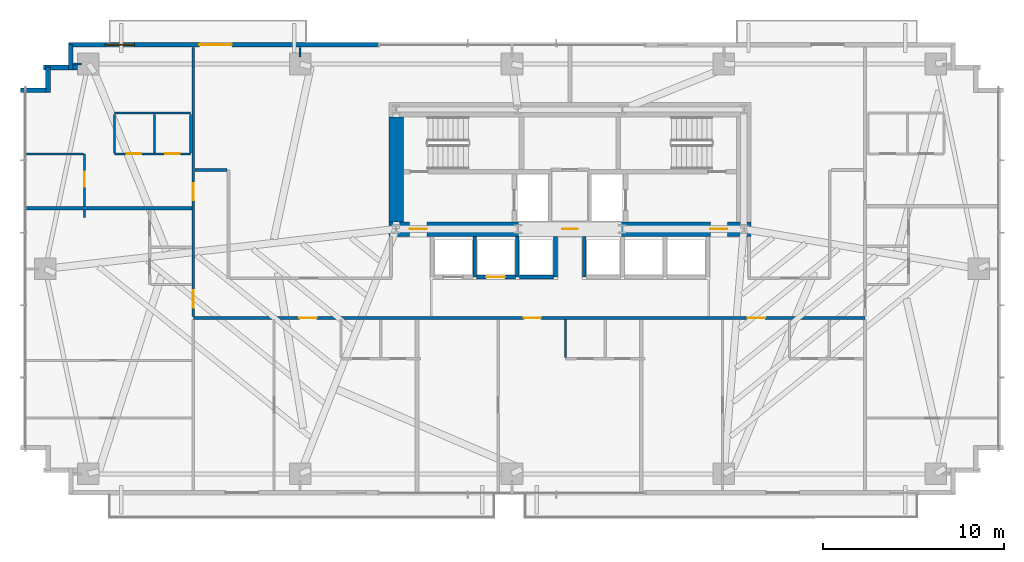
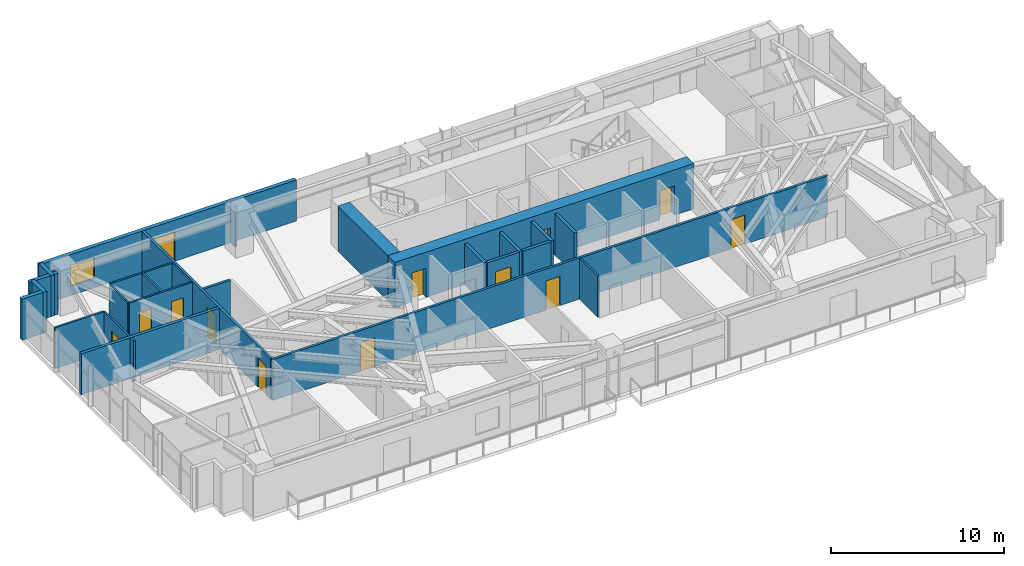
# One storey, part 20 of 25: 28 walls, 13 doors, 1 window, 14 openings.
"""IFC4 building model written with IfcOpenShell, lengths in metres."""

from ifc_helpers import new_model, si_unit, direction, frame, frame_2d, origin, place, context, subcontext, project, spatial, rectangle, extrude, source, transform, mapped, material, layer, layer_set, type_object, type_shapes, element, fill, save


model = new_model("IFC4")

# Units and contexts
model_context = context("Model", 3, precision=1e-05, world=origin(), true_north=direction((0.0, 1.0)))
body_context = subcontext(model_context, "Body", "Model", "MODEL_VIEW")
ifc_project = project(units=[si_unit("LENGTHUNIT", "METRE"), si_unit("AREAUNIT", "SQUARE_METRE"), si_unit("VOLUMEUNIT", "CUBIC_METRE"), si_unit("PLANEANGLEUNIT", "RADIAN"), si_unit("MASSUNIT", "GRAM", prefix="KILO")], contexts=[model_context])

# Site, building, storey
site_placement = place(None, origin())
site = spatial("IfcSite", under=ifc_project, at=site_placement, CompositionType="ELEMENT")
building_placement = place(site_placement, origin())
building = spatial("IfcBuilding", under=site, at=building_placement, Name="Astriad Promenade Condominiums", CompositionType="ELEMENT")
storey_placement = place(building_placement, frame((0.0, 0.0, 64.60009765625)))
storey = spatial("IfcBuildingStorey", under=building, at=storey_placement, Name="L18", CompositionType="ELEMENT", Elevation=64.60009765625)

# Wall, openings, doors
ifc_material_1 = material(Name="Concrete C80/95", Category="concrete")
ifc_layer_1 = layer(ifc_material_1, 0.800048828125)
ifc_layer_set_1 = layer_set([ifc_layer_1], Name="Concrete C80/95")
wall_type_1 = type_object("IfcWallType", Name="CW-SHEAR-800", PredefinedType="SHEAR", material=ifc_layer_set_1)
wall_1_placement = place(storey_placement, frame((26.0, 17.39990234375, 0.0), z_axis=(0.0, 0.0, 1.0), x_axis=(1.0, 0.0, 0.0)))
wall_1 = element("IfcWall", 1, at=wall_1_placement, inside=storey, type_object=wall_type_1, Name="CW-CORE-S-L18", PredefinedType="SHEAR", context=body_context, shape_type="SweptSolid", body=[
    extrude(rectangle(XDim=20.0, YDim=0.800048828125, at=frame_2d((10.0, 0.0))), origin(), (0.0, 0.0, 1.0), 3.199951171875),
])
opening_1_placement = place(wall_1_placement, frame((1.14990234375, 0.0, 0.0)))
opening_1 = element("IfcOpeningElement", 2, at=opening_1_placement, cuts=wall_1, Name="Opening FD90-ST-095", PredefinedType="OPENING", context=body_context, shape_type="SweptSolid", body=[
    extrude(rectangle(XDim=0.949951171875, YDim=2.06005859375, at=frame_2d((0.47509765625, 1.030029296875))), frame((0.0, 0.409912109375, 0.0), z_axis=(0.0, -1.0, 0.0), x_axis=(1.0, 0.0, 0.0)), (0.0, 0.0, 1.0), 0.820068359375),
])
opening_2_placement = place(wall_1_placement, frame((9.580078125, 0.0, 0.0)))
opening_2 = element("IfcOpeningElement", 3, at=opening_2_placement, cuts=wall_1, Name="Opening FD60-ULOW-085", PredefinedType="OPENING", context=body_context, shape_type="SweptSolid", body=[
    extrude(rectangle(XDim=0.85009765625, YDim=2.0, at=frame_2d((0.425048828125, 1.0))), frame((0.0, 0.409912109375, 0.0), z_axis=(0.0, -1.0, 0.0), x_axis=(1.0, 0.0, 0.0)), (0.0, 0.0, 1.0), 0.820068359375),
])
opening_3_placement = place(wall_1_placement, frame((17.75, 0.0, 0.0)))
opening_3 = element("IfcOpeningElement", 4, at=opening_3_placement, cuts=wall_1, Name="Opening FD90-ST-095", PredefinedType="OPENING", context=body_context, shape_type="SweptSolid", body=[
    extrude(rectangle(XDim=0.949951171875, YDim=2.06005859375, at=frame_2d((0.47509765625, 1.030029296875))), frame((0.0, 0.409912109375, 0.0), z_axis=(0.0, -1.0, 0.0), x_axis=(1.0, 0.0, 0.0)), (0.0, 0.0, 1.0), 0.820068359375),
])
ifc_material_2 = material(Name="Fire-Rated Hollow Metal Stair Door")
door_type_1 = type_object("IfcDoorType", Name="FD90-ST-095", OperationType="NOTDEFINED", PredefinedType="DOOR", material=ifc_material_2)
shared_shape_1 = source(origin(), body_context, "Body", "SweptSolid", [
    extrude(rectangle(XDim=0.949951171875, YDim=2.06005859375, at=frame_2d((0.47509765625, 1.030029296875))), frame((0.0, 0.02490234375, 0.0), z_axis=(0.0, -1.0, 0.0), x_axis=(1.0, 0.0, 0.0)), (0.0, 0.0, 1.0), 0.050048828125),
])
type_shapes(door_type_1, [shared_shape_1])
door_1_placement = place(opening_1_placement, origin())
door_1 = element("IfcDoor", 5, at=door_1_placement, inside=storey, type_object=door_type_1, Name="D-FFW-L18", OperationType="SINGLE_SWING_LEFT", OverallHeight=2.06005859375, OverallWidth=0.949951171875, PredefinedType="DOOR", context=body_context, shape_type="MappedRepresentation", body=[
    mapped(shared_shape_1, transform((0.0, 0.0, 0.0), scale=1.0)),
])
fill(opening_1, door_1)
door_2_placement = place(opening_3_placement, origin())
door_2 = element("IfcDoor", 6, at=door_2_placement, inside=storey, type_object=door_type_1, Name="D-FFE-L18", OperationType="SINGLE_SWING_RIGHT", OverallHeight=2.06005859375, OverallWidth=0.949951171875, PredefinedType="DOOR", context=body_context, shape_type="MappedRepresentation", body=[
    mapped(shared_shape_1, transform((0.0, 0.0, 0.0), scale=1.0)),
])
fill(opening_3, door_2)
ifc_material_3 = material(Name="Solid-Core Low-Headroom Fire Door")
door_type_2 = type_object("IfcDoorType", Name="FD60-ULOW-085", OperationType="NOTDEFINED", PredefinedType="DOOR", material=ifc_material_3)
shared_shape_2 = source(origin(), body_context, "Body", "SweptSolid", [
    extrude(rectangle(XDim=0.85009765625, YDim=2.0, at=frame_2d((0.425048828125, 1.0))), frame((0.0, 0.02490234375, 0.0), z_axis=(0.0, -1.0, 0.0), x_axis=(1.0, 0.0, 0.0)), (0.0, 0.0, 1.0), 0.050048828125),
])
type_shapes(door_type_2, [shared_shape_2])
door_3_placement = place(opening_2_placement, origin())
door_3 = element("IfcDoor", 7, at=door_3_placement, inside=storey, type_object=door_type_2, Name="D-CSL-L18", OperationType="SINGLE_SWING_RIGHT", OverallHeight=2.0, OverallWidth=0.85009765625, PredefinedType="DOOR", context=body_context, shape_type="MappedRepresentation", body=[
    mapped(shared_shape_2, transform((0.0, 0.0, 0.0), scale=1.0)),
])
fill(opening_2, door_3)

# Wall
wall_2_placement = place(storey_placement, frame((26.39990234375, 17.802001953125, 0.0), z_axis=(0.0, 0.0, 1.0), x_axis=(0.0, 1.0, 0.0)))
element("IfcWall", 8, at=wall_2_placement, inside=storey, type_object=wall_type_1, Name="CW-CORE-W-L18", PredefinedType="SHEAR", context=body_context, shape_type="SweptSolid", body=[
    extrude(rectangle(XDim=5.7958984375, YDim=0.800048828125, at=frame_2d((2.89794921875, 0.0))), origin(), (0.0, 0.0, 1.0), 3.199951171875),
])

# Wall, openings, doors
ifc_material_4 = material(Name="Fire-Rated Gypsum Partition")
ifc_layer_2 = layer(ifc_material_4, 0.159912109375)
ifc_layer_set_2 = layer_set([ifc_layer_2], Name="Fire-Rated Gypsum Partition")
wall_type_2 = type_object("IfcWallType", Name="WALL-CORR-160", PredefinedType="PARTITIONING", material=ifc_layer_set_2)
wall_3_placement = place(storey_placement, frame((15.199951171875, 12.489990234375, 0.0), z_axis=(0.0, 0.0, 1.0), x_axis=(1.0, 0.0, 0.0)))
wall_3 = element("IfcWall", 9, at=wall_3_placement, inside=storey, type_object=wall_type_2, Name="PT-COR-S-L18", PredefinedType="PARTITIONING", context=body_context, shape_type="SweptSolid", body=[
    extrude(rectangle(XDim=37.10009765625, YDim=0.159912109375, at=frame_2d((18.550048828125, 0.0))), origin(), (0.0, 0.0, 1.0), 2.89990234375),
])
opening_4_placement = place(wall_3_placement, frame((5.863037109375, 0.0, 0.0)))
opening_4 = element("IfcOpeningElement", 10, at=opening_4_placement, cuts=wall_3, Name="Opening FD60-APT-095", PredefinedType="OPENING", context=body_context, shape_type="SweptSolid", body=[
    extrude(rectangle(XDim=0.949951171875, YDim=2.06005859375, at=frame_2d((0.47509765625, 1.030029296875))), frame((0.0, 0.08984375, 0.0), z_axis=(0.0, -1.0, 0.0), x_axis=(1.0, 0.0, 0.0)), (0.0, 0.0, 1.0), 0.179931640625),
])
opening_5_placement = place(wall_3_placement, frame((18.25, 0.0, 0.0)))
opening_5 = element("IfcOpeningElement", 11, at=opening_5_placement, cuts=wall_3, Name="Opening FD60-APT-095", PredefinedType="OPENING", context=body_context, shape_type="SweptSolid", body=[
    extrude(rectangle(XDim=0.949951171875, YDim=2.06005859375, at=frame_2d((0.47509765625, 1.030029296875))), frame((0.0, 0.08984375, 0.0), z_axis=(0.0, -1.0, 0.0), x_axis=(1.0, 0.0, 0.0)), (0.0, 0.0, 1.0), 0.179931640625),
])
opening_6_placement = place(wall_3_placement, frame((30.6298828125, 0.0, 0.0)))
opening_6 = element("IfcOpeningElement", 12, at=opening_6_placement, cuts=wall_3, Name="Opening FD60-APT-095", PredefinedType="OPENING", context=body_context, shape_type="SweptSolid", body=[
    extrude(rectangle(XDim=0.949951171875, YDim=2.06005859375, at=frame_2d((0.47509765625, 1.030029296875))), frame((0.0, 0.08984375, 0.0), z_axis=(0.0, -1.0, 0.0), x_axis=(1.0, 0.0, 0.0)), (0.0, 0.0, 1.0), 0.179931640625),
])
ifc_material_5 = material(Name="Solid-Core Acoustic Timber Residence Entry Door", Category="wood")
door_type_3 = type_object("IfcDoorType", Name="FD60-APT-095", OperationType="NOTDEFINED", PredefinedType="DOOR", material=ifc_material_5)
shared_shape_3 = source(origin(), body_context, "Body", "SweptSolid", [
    extrude(rectangle(XDim=0.949951171875, YDim=2.06005859375, at=frame_2d((0.47509765625, 1.030029296875))), frame((0.0, 0.02490234375, 0.0), z_axis=(0.0, -1.0, 0.0), x_axis=(1.0, 0.0, 0.0)), (0.0, 0.0, 1.0), 0.050048828125),
])
type_shapes(door_type_3, [shared_shape_3])
door_4_placement = place(opening_4_placement, origin())
door_4 = element("IfcDoor", 13, at=door_4_placement, inside=storey, type_object=door_type_3, Name="D-ENT-L18-S1", OperationType="SINGLE_SWING_RIGHT", OverallHeight=2.06005859375, OverallWidth=0.949951171875, PredefinedType="DOOR", context=body_context, shape_type="MappedRepresentation", body=[
    mapped(shared_shape_3, transform((0.0, 0.0, 0.0), scale=1.0)),
])
fill(opening_4, door_4)
door_5_placement = place(opening_5_placement, origin())
door_5 = element("IfcDoor", 14, at=door_5_placement, inside=storey, type_object=door_type_3, Name="D-ENT-L18-S2", OperationType="SINGLE_SWING_RIGHT", OverallHeight=2.06005859375, OverallWidth=0.949951171875, PredefinedType="DOOR", context=body_context, shape_type="MappedRepresentation", body=[
    mapped(shared_shape_3, transform((0.0, 0.0, 0.0), scale=1.0)),
])
fill(opening_5, door_5)
door_6_placement = place(opening_6_placement, origin())
door_6 = element("IfcDoor", 15, at=door_6_placement, inside=storey, type_object=door_type_3, Name="D-ENT-L18-S3", OperationType="SINGLE_SWING_RIGHT", OverallHeight=2.06005859375, OverallWidth=0.949951171875, PredefinedType="DOOR", context=body_context, shape_type="MappedRepresentation", body=[
    mapped(shared_shape_3, transform((0.0, 0.0, 0.0), scale=1.0)),
])
fill(opening_6, door_6)

wall_4_placement = place(storey_placement, frame((15.199951171875, 12.572021484375, 0.0), z_axis=(0.0, 0.0, 1.0), x_axis=(0.0, 1.0, 0.0)))
wall_4 = element("IfcWall", 16, at=wall_4_placement, inside=storey, type_object=wall_type_2, Name="PT-COR-W-L18-S2", PredefinedType="PARTITIONING", context=body_context, shape_type="SweptSolid", body=[
    extrude(rectangle(XDim=14.865966796875, YDim=0.159912109375, at=frame_2d((7.43310546875, 0.0))), origin(), (0.0, 0.0, 1.0), 2.89990234375),
])
opening_7_placement = place(wall_4_placement, frame((0.492919921875, 0.0, 0.0)))
opening_7 = element("IfcOpeningElement", 17, at=opening_7_placement, cuts=wall_4, Name="Opening FD60-APT-095", PredefinedType="OPENING", context=body_context, shape_type="SweptSolid", body=[
    extrude(rectangle(XDim=0.949951171875, YDim=2.06005859375, at=frame_2d((0.47509765625, 1.030029296875))), frame((0.0, 0.08984375, 0.0), z_axis=(0.0, -1.0, 0.0), x_axis=(1.0, 0.0, 0.0)), (0.0, 0.0, 1.0), 0.179931640625),
])
opening_8_placement = place(wall_4_placement, frame((6.4130859375, 0.0, 0.0)))
opening_8 = element("IfcOpeningElement", 18, at=opening_8_placement, cuts=wall_4, Name="Opening FD60-APT-095", PredefinedType="OPENING", context=body_context, shape_type="SweptSolid", body=[
    extrude(rectangle(XDim=0.949951171875, YDim=2.06005859375, at=frame_2d((0.47509765625, 1.030029296875))), frame((0.0, 0.08984375, 0.0), z_axis=(0.0, -1.0, 0.0), x_axis=(1.0, 0.0, 0.0)), (0.0, 0.0, 1.0), 0.179931640625),
])
door_7_placement = place(opening_7_placement, origin())
door_7 = element("IfcDoor", 19, at=door_7_placement, inside=storey, type_object=door_type_3, Name="D-ENT-L18-W1", OperationType="SINGLE_SWING_LEFT", OverallHeight=2.06005859375, OverallWidth=0.949951171875, PredefinedType="DOOR", context=body_context, shape_type="MappedRepresentation", body=[
    mapped(shared_shape_3, transform((0.0, 0.0, 0.0), scale=1.0)),
])
fill(opening_7, door_7)
door_8_placement = place(opening_8_placement, origin())
door_8 = element("IfcDoor", 20, at=door_8_placement, inside=storey, type_object=door_type_3, Name="D-ENT-L18-W2", OperationType="SINGLE_SWING_RIGHT", OverallHeight=2.06005859375, OverallWidth=0.949951171875, PredefinedType="DOOR", context=body_context, shape_type="MappedRepresentation", body=[
    mapped(shared_shape_3, transform((0.0, 0.0, 0.0), scale=1.0)),
])
fill(opening_8, door_8)

# Walls
wall_5_placement = place(storey_placement, frame((15.281982421875, 20.64990234375, 0.0), z_axis=(0.0, 0.0, 1.0), x_axis=(1.0, 0.0, 0.0)))
element("IfcWall", 21, at=wall_5_placement, inside=storey, type_object=wall_type_2, Name="PT-WALC-N-L18", PredefinedType="PARTITIONING", context=body_context, shape_type="SweptSolid", body=[
    extrude(rectangle(XDim=1.7861328125, YDim=0.159912109375, at=frame_2d((0.89306640625, 0.0))), origin(), (0.0, 0.0, 1.0), 2.89990234375),
])
ifc_material_6 = material(Name="Acoustic Double-Stud Gypsum Partition")
ifc_layer_3 = layer(ifc_material_6, 0.199951171875)
ifc_layer_set_3 = layer_set([ifc_layer_3], Name="Acoustic Double-Stud Gypsum Partition")
wall_type_3 = type_object("IfcWallType", Name="WALL-DEMISING-200", PredefinedType="PARTITIONING", material=ifc_layer_set_3)
wall_6_placement = place(storey_placement, frame((5.8798828125, 18.550048828125, 0.0), z_axis=(0.0, 0.0, 1.0), x_axis=(1.0, 0.0, 0.0)))
element("IfcWall", 22, at=wall_6_placement, inside=storey, type_object=wall_type_3, Name="PT-DEM-WW-L18", PredefinedType="PARTITIONING", context=body_context, shape_type="SweptSolid", body=[
    extrude(rectangle(XDim=9.238037109375, YDim=0.199951171875, at=frame_2d((4.619140625, 0.0))), origin(), (0.0, 0.0, 1.0), 2.89990234375),
])
ifc_material_7 = material(Name="Precast concrete C50/60", Category="concrete")
ifc_layer_4 = layer(ifc_material_7, 0.260009765625)
ifc_layer_set_4 = layer_set([ifc_layer_4], Name="Precast concrete C50/60")
wall_type_4 = type_object("IfcWallType", Name="WALL-EXT-TWR-260", PredefinedType="STANDARD", material=ifc_layer_set_4)
for number, where, z_axis, x_axis, name in (
    (23, (5.669921875, 25.070068359375, 0.0), (0.0, 0.0, 1.0), (1.0, 0.0, 0.0), "W-SER-L18-04"),
    (24, (7.179931640625, 24.93994140625, 0.0), (0.0, 0.0, 1.0), (0.0, 1.0, 0.0), "W-SER-L18-05"),
):
    element("IfcWall", number, at=place(storey_placement, frame(where, z_axis=z_axis, x_axis=x_axis)), inside=storey, type_object=wall_type_4, Name=name, PredefinedType="STANDARD", context=body_context, shape_type="SweptSolid", body=[
        extrude(rectangle(XDim=1.39501953125, YDim=0.260009765625, at=frame_2d((0.697509765625, 0.0))), origin(), (0.0, 0.0, 1.0), 2.89990234375),
    ])
wall_7_placement = place(storey_placement, frame((6.919921875, 26.320068359375, 0.0), z_axis=(0.0, 0.0, 1.0), x_axis=(1.0, 0.0, 0.0)))
element("IfcWall", 25, at=wall_7_placement, inside=storey, type_object=wall_type_4, Name="W-SER-L18-06", PredefinedType="STANDARD", context=body_context, shape_type="SweptSolid", body=[
    extrude(rectangle(XDim=1.878173828125, YDim=0.260009765625, at=frame_2d((0.93896484375, 0.0))), origin(), (0.0, 0.0, 1.0), 2.89990234375),
])
wall_8_placement = place(storey_placement, frame((8.429931640625, 26.18994140625, 0.0), z_axis=(0.0, 0.0, 1.0), x_axis=(0.0, 1.0, 0.0)))
element("IfcWall", 26, at=wall_8_placement, inside=storey, type_object=wall_type_4, Name="W-SER-L18-07", PredefinedType="STANDARD", context=body_context, shape_type="SweptSolid", body=[
    extrude(rectangle(XDim=1.39501953125, YDim=0.260009765625, at=frame_2d((0.697509765625, 0.0))), origin(), (0.0, 0.0, 1.0), 2.89990234375),
])

# Wall, openings, door, window
wall_9_placement = place(storey_placement, frame((8.300048828125, 27.570068359375, 0.0), z_axis=(0.0, 0.0, 1.0), x_axis=(1.0, 0.0, 0.0)))
wall_9 = element("IfcWall", 27, at=wall_9_placement, inside=storey, type_object=wall_type_4, Name="W-EXT-L18-N1", PredefinedType="STANDARD", context=body_context, shape_type="SweptSolid", body=[
    extrude(rectangle(XDim=17.14990234375, YDim=0.260009765625, at=frame_2d((8.574951171875, 0.0))), origin(), (0.0, 0.0, 1.0), 2.89990234375),
])
opening_9_placement = place(wall_9_placement, frame((7.23291015625, 0.0, 0.0)))
opening_9 = element("IfcOpeningElement", 28, at=opening_9_placement, cuts=wall_9, Name="Opening BD-1822-SLD", PredefinedType="OPENING", context=body_context, shape_type="SweptSolid", body=[
    extrude(rectangle(XDim=1.800048828125, YDim=2.06005859375, at=frame_2d((0.89990234375, 1.030029296875))), frame((0.0, 0.139892578125, 0.0), z_axis=(0.0, -1.0, 0.0), x_axis=(1.0, 0.0, 0.0)), (0.0, 0.0, 1.0), 0.280029296875),
])
opening_10_placement = place(wall_9_placement, frame((2.050048828125, 0.0, 0.64990234375)))
opening_10 = element("IfcOpeningElement", 29, at=opening_10_placement, cuts=wall_9, Name="Opening WIN-TWR-1620", PredefinedType="OPENING", context=body_context, shape_type="SweptSolid", body=[
    extrude(rectangle(XDim=1.60009765625, YDim=1.5, at=frame_2d((0.800048828125, 0.75))), frame((0.0, 0.139892578125, 0.0), z_axis=(0.0, -1.0, 0.0), x_axis=(1.0, 0.0, 0.0)), (0.0, 0.0, 1.0), 0.280029296875),
])
ifc_material_8 = material(Name="Thermally Broken Aluminium Sliding Balcony Door", Category="aluminium")
door_type_4 = type_object("IfcDoorType", Name="BD-1822-SLD", OperationType="NOTDEFINED", PredefinedType="DOOR", material=ifc_material_8)
shared_shape_4 = source(origin(), body_context, "Body", "SweptSolid", [
    extrude(rectangle(XDim=1.800048828125, YDim=2.06005859375, at=frame_2d((0.89990234375, 1.030029296875))), frame((0.0, 0.02490234375, 0.0), z_axis=(0.0, -1.0, 0.0), x_axis=(1.0, 0.0, 0.0)), (0.0, 0.0, 1.0), 0.050048828125),
])
type_shapes(door_type_4, [shared_shape_4])
door_9_placement = place(opening_9_placement, origin())
door_9 = element("IfcDoor", 30, at=door_9_placement, inside=storey, type_object=door_type_4, Name="BD-L18-NW", OperationType="SLIDING_TO_LEFT", OverallHeight=2.06005859375, OverallWidth=1.800048828125, PredefinedType="DOOR", context=body_context, shape_type="MappedRepresentation", body=[
    mapped(shared_shape_4, transform((0.0, 0.0, 0.0), scale=1.0)),
])
fill(opening_9, door_9)
ifc_material_9 = material(Name="Dark Tinted Triple-Glazed Aluminium Window", Category="aluminium")
window_type = type_object("IfcWindowType", Name="WIN-TWR-1620", PartitioningType="SINGLE_PANEL", PredefinedType="WINDOW", material=ifc_material_9)
shared_shape_5 = source(origin(), body_context, "Body", "SweptSolid", [
    extrude(rectangle(XDim=1.60009765625, YDim=1.5, at=frame_2d((0.800048828125, 0.75))), frame((0.0, 0.030029296875, 0.0), z_axis=(0.0, -1.0, 0.0), x_axis=(1.0, 0.0, 0.0)), (0.0, 0.0, 1.0), 0.06005859375),
])
type_shapes(window_type, [shared_shape_5])
window_placement = place(opening_10_placement, origin())
window = element("IfcWindow", 31, at=window_placement, inside=storey, type_object=window_type, Name="WIN-L18-NW", OverallHeight=1.5, OverallWidth=1.60009765625, PartitioningType="SINGLE_PANEL", PredefinedType="WINDOW", context=body_context, shape_type="MappedRepresentation", body=[
    mapped(shared_shape_5, transform((0.0, 0.0, 0.0), scale=1.0)),
])
fill(opening_10, window)

# Wall
ifc_material_10 = material(Name="Acoustic Metal-Stud Gypsum Partition")
ifc_layer_5 = layer(ifc_material_10, 0.1201171875)
ifc_layer_set_5 = layer_set([ifc_layer_5], Name="Acoustic Metal-Stud Gypsum Partition")
wall_type_5 = type_object("IfcWallType", Name="WALL-PART-120", PredefinedType="PARTITIONING", material=ifc_layer_set_5)
wall_10_placement = place(storey_placement, frame((35.74609375, 10.302001953125, 0.0), z_axis=(0.0, 0.0, 1.0), x_axis=(0.0, 1.0, 0.0)))
element("IfcWall", 32, at=wall_10_placement, inside=storey, type_object=wall_type_5, Name="PT-L18-S2-PK", PredefinedType="PARTITIONING", context=body_context, shape_type="SweptSolid", body=[
    extrude(rectangle(XDim=2.10595703125, YDim=0.1201171875, at=frame_2d((1.052978515625, 0.0))), origin(), (0.0, 0.0, 1.0), 2.89990234375),
])

# Wall, openings, doors
wall_11_placement = place(storey_placement, frame((10.85009765625, 21.550048828125, 0.0), z_axis=(0.0, 0.0, 1.0), x_axis=(1.0, 0.0, 0.0)))
wall_11 = element("IfcWall", 33, at=wall_11_placement, inside=storey, type_object=wall_type_5, Name="PT-L18-W2-PH", PredefinedType="PARTITIONING", context=body_context, shape_type="SweptSolid", body=[
    extrude(rectangle(XDim=4.199951171875, YDim=0.1201171875, at=frame_2d((2.10009765625, 0.0))), origin(), (0.0, 0.0, 1.0), 2.89990234375),
])
opening_11_placement = place(wall_11_placement, frame((0.675048828125, 0.0, 0.0)))
opening_11 = element("IfcOpeningElement", 34, at=opening_11_placement, cuts=wall_11, Name="Opening D-ULOW-080", PredefinedType="OPENING", context=body_context, shape_type="SweptSolid", body=[
    extrude(rectangle(XDim=0.800048828125, YDim=2.0, at=frame_2d((0.39990234375, 1.0))), frame((0.0, 0.070068359375, 0.0), z_axis=(0.0, -1.0, 0.0), x_axis=(1.0, 0.0, 0.0)), (0.0, 0.0, 1.0), 0.14013671875),
])
opening_12_placement = place(wall_11_placement, frame((2.800048828125, 0.0, 0.0)))
opening_12 = element("IfcOpeningElement", 35, at=opening_12_placement, cuts=wall_11, Name="Opening D-WET-080", PredefinedType="OPENING", context=body_context, shape_type="SweptSolid", body=[
    extrude(rectangle(XDim=0.800048828125, YDim=2.02001953125, at=frame_2d((0.39990234375, 1.010009765625))), frame((0.0, 0.070068359375, 0.0), z_axis=(0.0, -1.0, 0.0), x_axis=(1.0, 0.0, 0.0)), (0.0, 0.0, 1.0), 0.14013671875),
])
ifc_material_11 = material(Name="Moisture-Resistant Timber Bathroom Door", Category="wood")
door_type_5 = type_object("IfcDoorType", Name="D-WET-080", OperationType="NOTDEFINED", PredefinedType="DOOR", material=ifc_material_11)
shared_shape_6 = source(origin(), body_context, "Body", "SweptSolid", [
    extrude(rectangle(XDim=0.800048828125, YDim=2.02001953125, at=frame_2d((0.39990234375, 1.010009765625))), frame((0.0, 0.02490234375, 0.0), z_axis=(0.0, -1.0, 0.0), x_axis=(1.0, 0.0, 0.0)), (0.0, 0.0, 1.0), 0.050048828125),
])
type_shapes(door_type_5, [shared_shape_6])
door_10_placement = place(opening_12_placement, origin())
door_10 = element("IfcDoor", 36, at=door_10_placement, inside=storey, type_object=door_type_5, Name="D-BTH-L18-W2", OperationType="SINGLE_SWING_LEFT", OverallHeight=2.02001953125, OverallWidth=0.800048828125, PredefinedType="DOOR", context=body_context, shape_type="MappedRepresentation", body=[
    mapped(shared_shape_6, transform((0.0, 0.0, 0.0), scale=1.0)),
])
fill(opening_12, door_10)
ifc_material_12 = material(Name="Painted Timber Low-Headroom Door", Category="wood")
door_type_6 = type_object("IfcDoorType", Name="D-ULOW-080", OperationType="NOTDEFINED", PredefinedType="DOOR", material=ifc_material_12)
shared_shape_7 = source(origin(), body_context, "Body", "SweptSolid", [
    extrude(rectangle(XDim=0.800048828125, YDim=2.0, at=frame_2d((0.39990234375, 1.0))), frame((0.0, 0.02490234375, 0.0), z_axis=(0.0, -1.0, 0.0), x_axis=(1.0, 0.0, 0.0)), (0.0, 0.0, 1.0), 0.050048828125),
])
type_shapes(door_type_6, [shared_shape_7])
door_11_placement = place(opening_11_placement, origin())
door_11 = element("IfcDoor", 37, at=door_11_placement, inside=storey, type_object=door_type_6, Name="D-KIT-L18-W2", OperationType="SINGLE_SWING_RIGHT", OverallHeight=2.0, OverallWidth=0.800048828125, PredefinedType="DOOR", context=body_context, shape_type="MappedRepresentation", body=[
    mapped(shared_shape_7, transform((0.0, 0.0, 0.0), scale=1.0)),
])
fill(opening_11, door_11)

# Walls
wall_12_placement = place(storey_placement, frame((10.85009765625, 23.800048828125, 0.0), z_axis=(0.0, 0.0, 1.0), x_axis=(1.0, 0.0, 0.0)))
element("IfcWall", 38, at=wall_12_placement, inside=storey, type_object=wall_type_5, Name="PT-L18-W2-PHN", PredefinedType="PARTITIONING", context=body_context, shape_type="SweptSolid", body=[
    extrude(rectangle(XDim=4.199951171875, YDim=0.1201171875, at=frame_2d((2.10009765625, 0.0))), origin(), (0.0, 0.0, 1.0), 2.89990234375),
])
for number, where, z_axis, x_axis, name in (
    (39, (10.85009765625, 21.612060546875, 0.0), (0.0, 0.0, 1.0), (0.0, 1.0, 0.0), "PT-L18-W2-PK1"),
    (40, (13.050048828125, 21.612060546875, 0.0), (0.0, 0.0, 1.0), (0.0, 1.0, 0.0), "PT-L18-W2-PK2"),
    (41, (15.050048828125, 21.612060546875, 0.0), (0.0, 0.0, 1.0), (0.0, 1.0, 0.0), "PT-L18-W2-PK3"),
):
    element("IfcWall", number, at=place(storey_placement, frame(where, z_axis=z_axis, x_axis=x_axis)), inside=storey, type_object=wall_type_5, Name=name, PredefinedType="PARTITIONING", context=body_context, shape_type="SweptSolid", body=[
        extrude(rectangle(XDim=2.1259765625, YDim=0.1201171875, at=frame_2d((1.06298828125, 0.0))), origin(), (0.0, 0.0, 1.0), 2.89990234375),
    ])
wall_13_placement = place(storey_placement, frame((9.194091796875, 18.050048828125, 0.0), z_axis=(0.0, 0.0, 1.0), x_axis=(0.0, 1.0, 0.0)))
element("IfcWall", 42, at=wall_13_placement, inside=storey, type_object=wall_type_5, Name="PT-L18-W2-CAP1", PredefinedType="PARTITIONING", context=body_context, shape_type="SweptSolid", body=[
    extrude(rectangle(XDim=0.39794921875, YDim=0.1201171875, at=frame_2d((0.198974609375, 0.0))), origin(), (0.0, 0.0, 1.0), 2.89990234375),
])

# Wall, opening, door
wall_14_placement = place(storey_placement, frame((9.194091796875, 18.652099609375, 0.0), z_axis=(0.0, 0.0, 1.0), x_axis=(0.0, 1.0, 0.0)))
wall_14 = element("IfcWall", 43, at=wall_14_placement, inside=storey, type_object=wall_type_5, Name="PT-L18-W2-CAP1-S2", PredefinedType="PARTITIONING", context=body_context, shape_type="SweptSolid", body=[
    extrude(rectangle(XDim=2.89794921875, YDim=0.1201171875, at=frame_2d((1.448974609375, 0.0))), origin(), (0.0, 0.0, 1.0), 2.89990234375),
])
opening_13_placement = place(wall_14_placement, frame((1.072998046875, 0.0, 0.0)))
opening_13 = element("IfcOpeningElement", 44, at=opening_13_placement, cuts=wall_14, Name="Opening D-INT-085", PredefinedType="OPENING", context=body_context, shape_type="SweptSolid", body=[
    extrude(rectangle(XDim=0.85009765625, YDim=2.050048828125, at=frame_2d((0.425048828125, 1.02490234375))), frame((0.0, 0.070068359375, 0.0), z_axis=(0.0, -1.0, 0.0), x_axis=(1.0, 0.0, 0.0)), (0.0, 0.0, 1.0), 0.14013671875),
])
ifc_material_13 = material(Name="Painted Solid-Core Timber Room Door", Category="wood")
door_type_7 = type_object("IfcDoorType", Name="D-INT-085", OperationType="NOTDEFINED", PredefinedType="DOOR", material=ifc_material_13)
shared_shape_8 = source(origin(), body_context, "Body", "SweptSolid", [
    extrude(rectangle(XDim=0.85009765625, YDim=2.050048828125, at=frame_2d((0.425048828125, 1.02490234375))), frame((0.0, 0.02490234375, 0.0), z_axis=(0.0, -1.0, 0.0), x_axis=(1.0, 0.0, 0.0)), (0.0, 0.0, 1.0), 0.050048828125),
])
type_shapes(door_type_7, [shared_shape_8])
door_12_placement = place(opening_13_placement, origin())
door_12 = element("IfcDoor", 45, at=door_12_placement, inside=storey, type_object=door_type_7, Name="D-CAP1-L18-W2", OperationType="SINGLE_SWING_LEFT", OverallHeight=2.050048828125, OverallWidth=0.85009765625, PredefinedType="DOOR", context=body_context, shape_type="MappedRepresentation", body=[
    mapped(shared_shape_8, transform((0.0, 0.0, 0.0), scale=1.0)),
])
fill(opening_13, door_12)

# Walls
wall_15_placement = place(storey_placement, frame((5.8798828125, 21.550048828125, 0.0), z_axis=(0.0, 0.0, 1.0), x_axis=(1.0, 0.0, 0.0)))
element("IfcWall", 46, at=wall_15_placement, inside=storey, type_object=wall_type_5, Name="PT-L18-W2-CAP1H", PredefinedType="PARTITIONING", context=body_context, shape_type="SweptSolid", body=[
    extrude(rectangle(XDim=3.252197265625, YDim=0.1201171875, at=frame_2d((1.6259765625, 0.0))), origin(), (0.0, 0.0, 1.0), 2.89990234375),
])
wall_16_placement = place(storey_placement, frame((9.02001953125, 26.52001953125, 0.0), z_axis=(0.0, 0.0, 1.0), x_axis=(-1.0, 0.0, 0.0)))
element("IfcWall", 47, at=wall_16_placement, inside=storey, type_object=wall_type_5, Name="PT-PIL-L18-PC06-13", PredefinedType="PARTITIONING", context=body_context, shape_type="SweptSolid", body=[
    extrude(rectangle(XDim=0.4580078125, YDim=0.1201171875, at=frame_2d((0.22900390625, 0.0))), origin(), (0.0, 0.0, 1.0), 2.89990234375),
])
wall_17_placement = place(storey_placement, frame((21.10009765625, 26.89990234375, 0.0), z_axis=(0.0, 0.0, 1.0), x_axis=(0.0, 1.0, 0.0)))
element("IfcWall", 48, at=wall_17_placement, inside=storey, type_object=wall_type_5, Name="PT-PIL-L18-PC07-14", PredefinedType="PARTITIONING", context=body_context, shape_type="SweptSolid", body=[
    extrude(rectangle(XDim=0.5380859375, YDim=0.1201171875, at=frame_2d((0.26904296875, 0.0))), origin(), (0.0, 0.0, 1.0), 2.89990234375),
])
ifc_material_14 = material(Name="Gypsum Shaftliner Assembly")
ifc_layer_6 = layer(ifc_material_14, 0.199951171875)
ifc_layer_set_6 = layer_set([ifc_layer_6], Name="Gypsum Shaftliner Assembly")
wall_type_6 = type_object("IfcWallType", Name="WALL-SHAFT-200", PredefinedType="PARTITIONING", material=ifc_layer_set_6)
for number, where, z_axis, x_axis, name in (
    (49, (30.75, 14.75, 0.0), (0.0, 0.0, 1.0), (0.0, 1.0, 0.0), "PL-L-DIV-L18"),
    (50, (33.10009765625, 14.75, 0.0), (0.0, 0.0, 1.0), (0.0, 1.0, 0.0), "PL-LM-DIV-L18"),
):
    element("IfcWall", number, at=place(storey_placement, frame(where, z_axis=z_axis, x_axis=x_axis)), inside=storey, type_object=wall_type_6, Name=name, PredefinedType="PARTITIONING", context=body_context, shape_type="SweptSolid", body=[
        extrude(rectangle(XDim=2.248046875, YDim=0.199951171875, at=frame_2d((1.1240234375, 0.0))), origin(), (0.0, 0.0, 1.0), 2.89990234375),
    ])

# Wall, opening, door
wall_18_placement = place(storey_placement, frame((30.85205078125, 14.75, 0.0), z_axis=(0.0, 0.0, 1.0), x_axis=(1.0, 0.0, 0.0)))
wall_18 = element("IfcWall", 51, at=wall_18_placement, inside=storey, type_object=wall_type_6, Name="PL-L-FRT-L18-S2", PredefinedType="PARTITIONING", context=body_context, shape_type="SweptSolid", body=[
    extrude(rectangle(XDim=2.14599609375, YDim=0.199951171875, at=frame_2d((1.072998046875, 0.0))), origin(), (0.0, 0.0, 1.0), 2.89990234375),
])
opening_14_placement = place(wall_18_placement, frame((0.52294921875, 0.0, 0.0)))
opening_14 = element("IfcOpeningElement", 52, at=opening_14_placement, cuts=wall_18, Name="Opening LD-PL-10522", PredefinedType="OPENING", context=body_context, shape_type="SweptSolid", body=[
    extrude(rectangle(XDim=1.050048828125, YDim=2.080078125, at=frame_2d((0.52490234375, 1.0400390625))), frame((0.0, 0.10986328125, 0.0), z_axis=(0.0, -1.0, 0.0), x_axis=(1.0, 0.0, 0.0)), (0.0, 0.0, 1.0), 0.219970703125),
])
ifc_material_15 = material(Name="Brushed Bronze Passenger Elevator Landing Door")
door_type_8 = type_object("IfcDoorType", Name="LD-PL-10522", OperationType="NOTDEFINED", PredefinedType="DOOR", material=ifc_material_15)
shared_shape_9 = source(origin(), body_context, "Body", "SweptSolid", [
    extrude(rectangle(XDim=1.050048828125, YDim=2.080078125, at=frame_2d((0.52490234375, 1.0400390625))), frame((0.0, 0.02490234375, 0.0), z_axis=(0.0, -1.0, 0.0), x_axis=(1.0, 0.0, 0.0)), (0.0, 0.0, 1.0), 0.050048828125),
])
type_shapes(door_type_8, [shared_shape_9])
door_13_placement = place(opening_14_placement, origin())
door_13 = element("IfcDoor", 53, at=door_13_placement, inside=storey, type_object=door_type_8, Name="Elevator Landing Door PL-L2 (L18)", OperationType="SLIDING_TO_RIGHT", OverallHeight=2.080078125, OverallWidth=1.050048828125, PredefinedType="DOOR", context=body_context, shape_type="MappedRepresentation", body=[
    mapped(shared_shape_9, transform((0.0, 0.0, 0.0), scale=1.0)),
])
fill(opening_14, door_13)

# Walls
wall_19_placement = place(storey_placement, frame((35.199951171875, 14.75, 0.0), z_axis=(0.0, 0.0, 1.0), x_axis=(0.0, 1.0, 0.0)))
element("IfcWall", 54, at=wall_19_placement, inside=storey, type_object=wall_type_6, Name="PL-M1-E-L18", PredefinedType="PARTITIONING", context=body_context, shape_type="SweptSolid", body=[
    extrude(rectangle(XDim=2.248046875, YDim=0.199951171875, at=frame_2d((1.1240234375, 0.0))), origin(), (0.0, 0.0, 1.0), 2.89990234375),
])
wall_20_placement = place(storey_placement, frame((33.201904296875, 14.75, 0.0), z_axis=(0.0, 0.0, 1.0), x_axis=(1.0, 0.0, 0.0)))
element("IfcWall", 55, at=wall_20_placement, inside=storey, type_object=wall_type_6, Name="PL-M1-F-L18", PredefinedType="PARTITIONING", context=body_context, shape_type="SweptSolid", body=[
    extrude(rectangle(XDim=1.89599609375, YDim=0.199951171875, at=frame_2d((0.947998046875, 0.0))), origin(), (0.0, 0.0, 1.0), 2.89990234375),
])
wall_21_placement = place(storey_placement, frame((36.800048828125, 14.75, 0.0), z_axis=(0.0, 0.0, 1.0), x_axis=(0.0, 1.0, 0.0)))
element("IfcWall", 56, at=wall_21_placement, inside=storey, type_object=wall_type_6, Name="PL-M2-W-L18", PredefinedType="PARTITIONING", context=body_context, shape_type="SweptSolid", body=[
    extrude(rectangle(XDim=2.248046875, YDim=0.199951171875, at=frame_2d((1.1240234375, 0.0))), origin(), (0.0, 0.0, 1.0), 2.89990234375),
])

save(model, "model.ifc")
